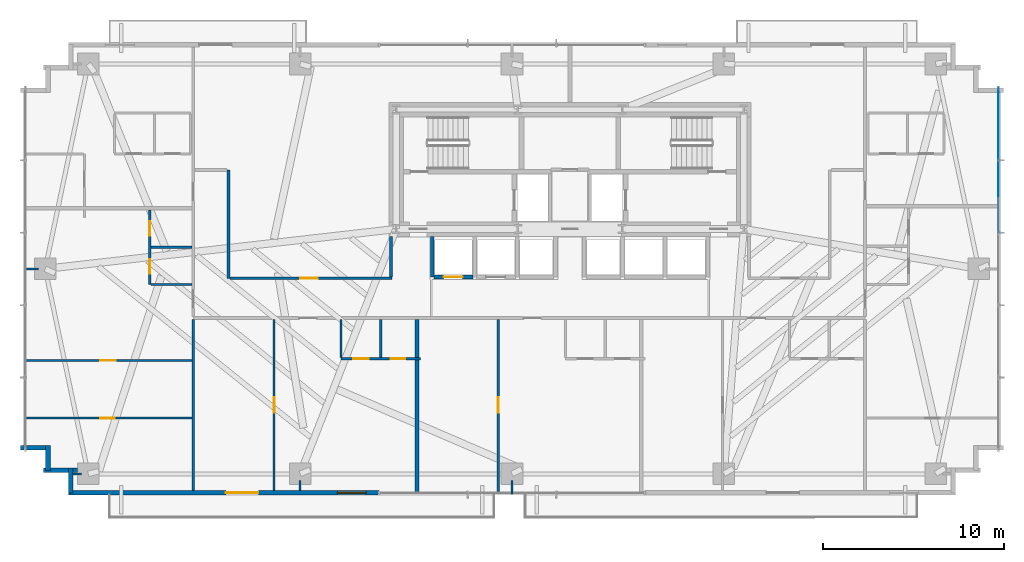
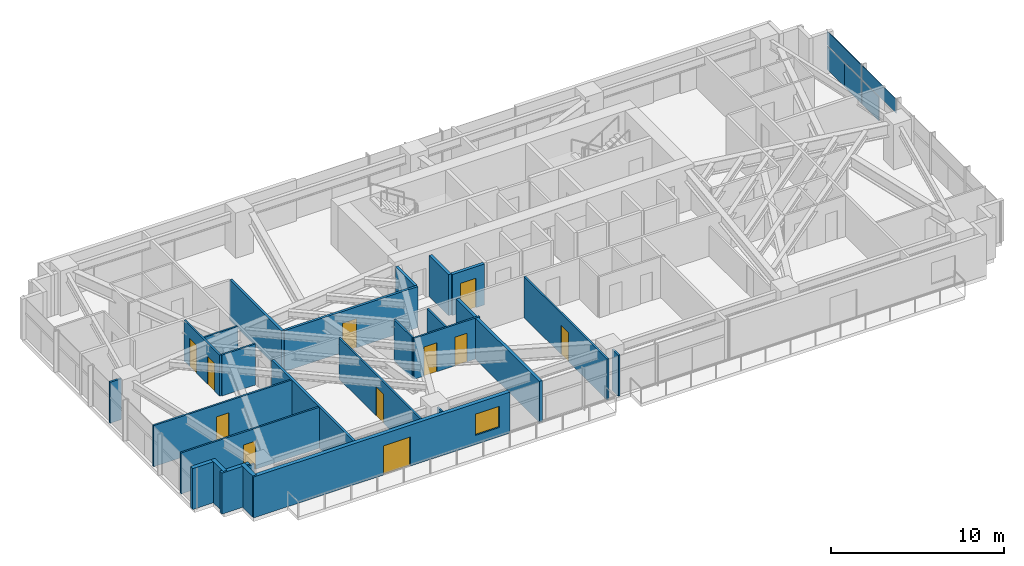
# One storey, part 19 of 25: 27 walls, 11 doors, 5 plates, 1 window, 12 openings, 1 element without a shape of its own.
"""IFC4 building model written with IfcOpenShell, lengths in metres."""

from ifc_helpers import new_model, si_unit, direction, frame, frame_2d, origin, origin_2d, place, context, subcontext, project, spatial, rectangle, extrude, source, transform, mapped, material, layer, layer_set, type_object, type_shapes, element, fill, aggregate, save


model = new_model("IFC4")

# Units and contexts
model_context = context("Model", 3, precision=1e-05, world=origin(), true_north=direction((0.0, 1.0)))
body_context = subcontext(model_context, "Body", "Model", "MODEL_VIEW")
ifc_project = project(units=[si_unit("LENGTHUNIT", "METRE"), si_unit("AREAUNIT", "SQUARE_METRE"), si_unit("VOLUMEUNIT", "CUBIC_METRE"), si_unit("PLANEANGLEUNIT", "RADIAN"), si_unit("MASSUNIT", "GRAM", prefix="KILO")], contexts=[model_context])

# Site, building, storey
site_placement = place(None, origin())
site = spatial("IfcSite", under=ifc_project, at=site_placement, CompositionType="ELEMENT")
building_placement = place(site_placement, origin())
building = spatial("IfcBuilding", under=site, at=building_placement, Name="Astriad Promenade Condominiums", CompositionType="ELEMENT")
storey_placement = place(building_placement, frame((0.0, 0.0, 64.60009765625)))
storey = spatial("IfcBuildingStorey", under=building, at=storey_placement, Name="L18", CompositionType="ELEMENT", Elevation=64.60009765625)

# Curtain wall, plates
ifc_material_1 = material(Name="Anodised aluminium Black Dark Glass Unitised", Category="aluminium")
curtain_wall_type = type_object("IfcCurtainWallType", Name="CW-B1-DARK", PredefinedType="USERDEFINED", material=ifc_material_1)
curtain_wall_placement = place(storey_placement, origin())
curtain_wall = element("IfcCurtainWall", 1, at=curtain_wall_placement, inside=storey, type_object=curtain_wall_type, Name="CW-L18-E", ObjectType="UNITISED_CURTAIN_WALL", PredefinedType="USERDEFINED")
ifc_material_2 = material(Name="Dark Tinted Low-E Laminated Glass", Category="glass")
ifc_layer_1 = layer(ifc_material_2, 0.035888671875)
ifc_layer_set_1 = layer_set([ifc_layer_1], Name="Dark Tinted Low-E Laminated Glass")
plate_type = type_object("IfcPlateType", Name="PNL-DARK-GLASS-36", PredefinedType="CURTAIN_PANEL", material=ifc_layer_set_1)
shared_shape_1 = source(origin(), body_context, "Body", "SweptSolid", [
    extrude(rectangle(XDim=1.988037109375, YDim=0.035888671875, at=origin_2d()), origin(), (0.0, 0.0, 1.0), 1.677978515625),
])
plate_1_placement = place(storey_placement, frame((59.669921875, 24.199951171875, 0.080078125), z_axis=(0.0, 0.0, 1.0), x_axis=(0.0, -1.0, 0.0)))
plate_1 = element("IfcPlate", 2, at=plate_1_placement, type_object=plate_type, Name="CW-L18-E-PNL-00-VL", PredefinedType="CURTAIN_PANEL", context=body_context, shape_type="MappedRepresentation", body=[
    mapped(shared_shape_1, transform((0.0, 0.0, 0.0), scale=1.0)),
])
plate_2_placement = place(storey_placement, frame((59.669921875, 22.199951171875, 0.080078125), z_axis=(0.0, 0.0, 1.0), x_axis=(0.0, -1.0, 0.0)))
plate_2 = element("IfcPlate", 3, at=plate_2_placement, type_object=plate_type, Name="CW-L18-E-PNL-00-VR", PredefinedType="CURTAIN_PANEL", context=body_context, shape_type="MappedRepresentation", body=[
    mapped(shared_shape_1, transform((0.0, 0.0, 0.0), scale=1.0)),
])
plate_3_placement = place(storey_placement, frame((59.669921875, 20.199951171875, 0.080078125), z_axis=(0.0, 0.0, 1.0), x_axis=(0.0, -1.0, 0.0)))
plate_3 = element("IfcPlate", 4, at=plate_3_placement, type_object=plate_type, Name="CW-L18-E-PNL-01-VL", PredefinedType="CURTAIN_PANEL", context=body_context, shape_type="MappedRepresentation", body=[
    mapped(shared_shape_1, transform((0.0, 0.0, 0.0), scale=1.0)),
])
shared_shape_2 = source(origin(), body_context, "Body", "SweptSolid", [
    extrude(rectangle(XDim=3.988037109375, YDim=0.035888671875, at=origin_2d()), origin(), (0.0, 0.0, 1.0), 0.98193359375),
])
type_shapes(plate_type, [shared_shape_1, shared_shape_2])
plate_4_placement = place(storey_placement, frame((59.669921875, 23.199951171875, 1.837890625), z_axis=(0.0, 0.0, 1.0), x_axis=(0.0, -1.0, 0.0)))
plate_4 = element("IfcPlate", 5, at=plate_4_placement, type_object=plate_type, Name="CW-L18-E-PNL-00-S", PredefinedType="CURTAIN_PANEL", context=body_context, shape_type="MappedRepresentation", body=[
    mapped(shared_shape_2, transform((0.0, 0.0, 0.0), scale=1.0)),
])
plate_5_placement = place(storey_placement, frame((59.669921875, 19.199951171875, 1.837890625), z_axis=(0.0, 0.0, 1.0), x_axis=(0.0, -1.0, 0.0)))
plate_5 = element("IfcPlate", 6, at=plate_5_placement, type_object=plate_type, Name="CW-L18-E-PNL-01-S", PredefinedType="CURTAIN_PANEL", context=body_context, shape_type="MappedRepresentation", body=[
    mapped(shared_shape_2, transform((0.0, 0.0, 0.0), scale=1.0)),
])
aggregate(curtain_wall, [plate_1, plate_2, plate_4, plate_3, plate_5])

# Walls
ifc_material_3 = material(Name="Fire-Rated Gypsum Partition")
ifc_layer_2 = layer(ifc_material_3, 0.159912109375)
ifc_layer_set_2 = layer_set([ifc_layer_2], Name="Fire-Rated Gypsum Partition")
wall_type_1 = type_object("IfcWallType", Name="WALL-CORR-160", PredefinedType="PARTITIONING", material=ifc_layer_set_2)
wall_1_placement = place(storey_placement, frame((15.199951171875, 2.9619140625, 0.0), z_axis=(0.0, 0.0, 1.0), x_axis=(0.0, 1.0, 0.0)))
element("IfcWall", 7, at=wall_1_placement, inside=storey, type_object=wall_type_1, Name="PT-COR-W-L18", PredefinedType="PARTITIONING", context=body_context, shape_type="SweptSolid", body=[
    extrude(rectangle(XDim=9.446044921875, YDim=0.159912109375, at=frame_2d((4.72314453125, 0.0))), origin(), (0.0, 0.0, 1.0), 2.89990234375),
])
wall_2_placement = place(storey_placement, frame((17.14990234375, 14.659912109375, 0.0), z_axis=(0.0, 0.0, 1.0), x_axis=(0.0, 1.0, 0.0)))
element("IfcWall", 8, at=wall_2_placement, inside=storey, type_object=wall_type_1, Name="PT-WALC-E-L18", PredefinedType="PARTITIONING", context=body_context, shape_type="SweptSolid", body=[
    extrude(rectangle(XDim=5.989990234375, YDim=0.159912109375, at=frame_2d((2.9951171875, 0.0))), origin(), (0.0, 0.0, 1.0), 2.89990234375),
])

# Wall, opening, door
wall_3_placement = place(storey_placement, frame((17.23193359375, 14.679931640625, 0.0), z_axis=(0.0, 0.0, 1.0), x_axis=(1.0, 0.0, 0.0)))
wall_3 = element("IfcWall", 9, at=wall_3_placement, inside=storey, type_object=wall_type_1, Name="PT-FLK-NW-L18", PredefinedType="PARTITIONING", context=body_context, shape_type="SweptSolid", body=[
    extrude(rectangle(XDim=8.927978515625, YDim=0.159912109375, at=frame_2d((4.4638671875, 0.0))), origin(), (0.0, 0.0, 1.0), 2.89990234375),
])
opening_1_placement = place(wall_3_placement, frame((3.887939453125, 0.0, 0.0)))
opening_1 = element("IfcOpeningElement", 10, at=opening_1_placement, cuts=wall_3, Name="Opening FD60-APT-095", PredefinedType="OPENING", context=body_context, shape_type="SweptSolid", body=[
    extrude(rectangle(XDim=0.949951171875, YDim=2.06005859375, at=frame_2d((0.47509765625, 1.030029296875))), frame((0.0, 0.08984375, 0.0), z_axis=(0.0, -1.0, 0.0), x_axis=(1.0, 0.0, 0.0)), (0.0, 0.0, 1.0), 0.179931640625),
])
ifc_material_4 = material(Name="Solid-Core Acoustic Timber Residence Entry Door", Category="wood")
door_type_1 = type_object("IfcDoorType", Name="FD60-APT-095", OperationType="NOTDEFINED", PredefinedType="DOOR", material=ifc_material_4)
shared_shape_3 = source(origin(), body_context, "Body", "SweptSolid", [
    extrude(rectangle(XDim=0.949951171875, YDim=2.06005859375, at=frame_2d((0.47509765625, 1.030029296875))), frame((0.0, 0.02490234375, 0.0), z_axis=(0.0, -1.0, 0.0), x_axis=(1.0, 0.0, 0.0)), (0.0, 0.0, 1.0), 0.050048828125),
])
type_shapes(door_type_1, [shared_shape_3])
door_1_placement = place(opening_1_placement, origin())
door_1 = element("IfcDoor", 11, at=door_1_placement, inside=storey, type_object=door_type_1, Name="D-NWA-L18", OperationType="SINGLE_SWING_LEFT", OverallHeight=2.06005859375, OverallWidth=0.949951171875, PredefinedType="DOOR", context=body_context, shape_type="MappedRepresentation", body=[
    mapped(shared_shape_3, transform((0.0, 0.0, 0.0), scale=1.0)),
])
fill(opening_1, door_1)

# Walls
wall_4_placement = place(storey_placement, frame((26.1201171875, 14.761962890625, 0.0), z_axis=(0.0, 0.0, 1.0), x_axis=(0.0, 1.0, 0.0)))
element("IfcWall", 12, at=wall_4_placement, inside=storey, type_object=wall_type_1, Name="PT-WSPUR-W-L18", PredefinedType="PARTITIONING", context=body_context, shape_type="SweptSolid", body=[
    extrude(rectangle(XDim=2.236083984375, YDim=0.159912109375, at=frame_2d((1.1181640625, 0.0))), origin(), (0.0, 0.0, 1.0), 2.89990234375),
])
ifc_material_5 = material(Name="Acoustic Double-Stud Gypsum Partition")
ifc_layer_3 = layer(ifc_material_5, 0.199951171875)
ifc_layer_set_3 = layer_set([ifc_layer_3], Name="Acoustic Double-Stud Gypsum Partition")
wall_type_2 = type_object("IfcWallType", Name="WALL-DEMISING-200", PredefinedType="PARTITIONING", material=ifc_layer_set_3)
wall_5_placement = place(storey_placement, frame((27.553955078125, 2.780029296875, 0.0), z_axis=(0.0, 0.0, 1.0), x_axis=(0.0, 1.0, 0.0)))
element("IfcWall", 13, at=wall_5_placement, inside=storey, type_object=wall_type_2, Name="PT-DEM-S1-L18", PredefinedType="PARTITIONING", context=body_context, shape_type="SweptSolid", body=[
    extrude(rectangle(XDim=7.39794921875, YDim=0.199951171875, at=frame_2d((3.698974609375, 0.0))), origin(), (0.0, 0.0, 1.0), 2.89990234375),
])
wall_6_placement = place(storey_placement, frame((27.553955078125, 10.302001953125, 0.0), z_axis=(0.0, 0.0, 1.0), x_axis=(0.0, 1.0, 0.0)))
element("IfcWall", 14, at=wall_6_placement, inside=storey, type_object=wall_type_2, Name="PT-DEM-S1-L18-S2", PredefinedType="PARTITIONING", context=body_context, shape_type="SweptSolid", body=[
    extrude(rectangle(XDim=2.10595703125, YDim=0.199951171875, at=frame_2d((1.052978515625, 0.0))), origin(), (0.0, 0.0, 1.0), 2.89990234375),
])
ifc_material_6 = material(Name="Precast concrete C50/60", Category="concrete")
ifc_layer_4 = layer(ifc_material_6, 0.260009765625)
ifc_layer_set_4 = layer_set([ifc_layer_4], Name="Precast concrete C50/60")
wall_type_3 = type_object("IfcWallType", Name="WALL-EXT-TWR-260", PredefinedType="STANDARD", material=ifc_layer_set_4)
wall_7_placement = place(storey_placement, frame((8.798095703125, 4.080078125, 0.0), z_axis=(0.0, 0.0, 1.0), x_axis=(-1.0, 0.0, 0.0)))
element("IfcWall", 15, at=wall_7_placement, inside=storey, type_object=wall_type_3, Name="W-SER-L18-00", PredefinedType="STANDARD", context=body_context, shape_type="SweptSolid", body=[
    extrude(rectangle(XDim=1.878173828125, YDim=0.260009765625, at=frame_2d((0.93896484375, 0.0))), origin(), (0.0, 0.0, 1.0), 2.89990234375),
])
for number, where, z_axis, x_axis, name in (
    (16, (7.179931640625, 4.06494140625, 0.0), (0.0, 0.0, 1.0), (0.0, 1.0, 0.0), "W-SER-L18-01"),
    (17, (7.06494140625, 5.330078125, 0.0), (0.0, 0.0, 1.0), (-1.0, 0.0, 0.0), "W-SER-L18-02"),
):
    element("IfcWall", number, at=place(storey_placement, frame(where, z_axis=z_axis, x_axis=x_axis)), inside=storey, type_object=wall_type_3, Name=name, PredefinedType="STANDARD", context=body_context, shape_type="SweptSolid", body=[
        extrude(rectangle(XDim=1.39501953125, YDim=0.260009765625, at=frame_2d((0.697509765625, 0.0))), origin(), (0.0, 0.0, 1.0), 2.89990234375),
    ])

# Wall, openings, door, window
wall_8_placement = place(storey_placement, frame((25.449951171875, 2.830078125, 0.0), z_axis=(0.0, 0.0, 1.0), x_axis=(-1.0, 0.0, 0.0)))
wall_8 = element("IfcWall", 18, at=wall_8_placement, inside=storey, type_object=wall_type_3, Name="W-EXT-L18-S2", PredefinedType="STANDARD", context=body_context, shape_type="SweptSolid", body=[
    extrude(rectangle(XDim=17.14990234375, YDim=0.260009765625, at=frame_2d((8.574951171875, 0.0))), origin(), (0.0, 0.0, 1.0), 2.89990234375),
])
opening_2_placement = place(wall_8_placement, frame((6.64990234375, 0.0, 0.0)))
opening_2 = element("IfcOpeningElement", 19, at=opening_2_placement, cuts=wall_8, Name="Opening BD-1822-SLD", PredefinedType="OPENING", context=body_context, shape_type="SweptSolid", body=[
    extrude(rectangle(XDim=1.800048828125, YDim=2.06005859375, at=frame_2d((0.89990234375, 1.030029296875))), frame((0.0, 0.139892578125, 0.0), z_axis=(0.0, -1.0, 0.0), x_axis=(1.0, 0.0, 0.0)), (0.0, 0.0, 1.0), 0.280029296875),
])
opening_3_placement = place(wall_8_placement, frame((0.699951171875, 0.0, 0.64990234375)))
opening_3 = element("IfcOpeningElement", 20, at=opening_3_placement, cuts=wall_8, Name="Opening WIN-TWR-1620", PredefinedType="OPENING", context=body_context, shape_type="SweptSolid", body=[
    extrude(rectangle(XDim=1.60009765625, YDim=1.5, at=frame_2d((0.800048828125, 0.75))), frame((0.0, 0.139892578125, 0.0), z_axis=(0.0, -1.0, 0.0), x_axis=(1.0, 0.0, 0.0)), (0.0, 0.0, 1.0), 0.280029296875),
])
ifc_material_7 = material(Name="Thermally Broken Aluminium Sliding Balcony Door", Category="aluminium")
door_type_2 = type_object("IfcDoorType", Name="BD-1822-SLD", OperationType="NOTDEFINED", PredefinedType="DOOR", material=ifc_material_7)
shared_shape_4 = source(origin(), body_context, "Body", "SweptSolid", [
    extrude(rectangle(XDim=1.800048828125, YDim=2.06005859375, at=frame_2d((0.89990234375, 1.030029296875))), frame((0.0, 0.02490234375, 0.0), z_axis=(0.0, -1.0, 0.0), x_axis=(1.0, 0.0, 0.0)), (0.0, 0.0, 1.0), 0.050048828125),
])
type_shapes(door_type_2, [shared_shape_4])
door_2_placement = place(opening_2_placement, origin())
door_2 = element("IfcDoor", 21, at=door_2_placement, inside=storey, type_object=door_type_2, Name="BD-L18-SW", OperationType="SLIDING_TO_LEFT", OverallHeight=2.06005859375, OverallWidth=1.800048828125, PredefinedType="DOOR", context=body_context, shape_type="MappedRepresentation", body=[
    mapped(shared_shape_4, transform((0.0, 0.0, 0.0), scale=1.0)),
])
fill(opening_2, door_2)
ifc_material_8 = material(Name="Dark Tinted Triple-Glazed Aluminium Window", Category="aluminium")
window_type = type_object("IfcWindowType", Name="WIN-TWR-1620", PartitioningType="SINGLE_PANEL", PredefinedType="WINDOW", material=ifc_material_8)
shared_shape_5 = source(origin(), body_context, "Body", "SweptSolid", [
    extrude(rectangle(XDim=1.60009765625, YDim=1.5, at=frame_2d((0.800048828125, 0.75))), frame((0.0, 0.030029296875, 0.0), z_axis=(0.0, -1.0, 0.0), x_axis=(1.0, 0.0, 0.0)), (0.0, 0.0, 1.0), 0.06005859375),
])
type_shapes(window_type, [shared_shape_5])
window_placement = place(opening_3_placement, origin())
window = element("IfcWindow", 22, at=window_placement, inside=storey, type_object=window_type, Name="WIN-L18-SW", OverallHeight=1.5, OverallWidth=1.60009765625, PartitioningType="SINGLE_PANEL", PredefinedType="WINDOW", context=body_context, shape_type="MappedRepresentation", body=[
    mapped(shared_shape_5, transform((0.0, 0.0, 0.0), scale=1.0)),
])
fill(opening_3, window)

# Wall
wall_9_placement = place(storey_placement, frame((8.429931640625, 2.81494140625, 0.0), z_axis=(0.0, 0.0, 1.0), x_axis=(0.0, 1.0, 0.0)))
element("IfcWall", 23, at=wall_9_placement, inside=storey, type_object=wall_type_3, Name="W-SER-L18-19", PredefinedType="STANDARD", context=body_context, shape_type="SweptSolid", body=[
    extrude(rectangle(XDim=1.39501953125, YDim=0.260009765625, at=frame_2d((0.697509765625, 0.0))), origin(), (0.0, 0.0, 1.0), 2.89990234375),
])

# Wall, openings, doors
ifc_material_9 = material(Name="Acoustic Metal-Stud Gypsum Partition")
ifc_layer_5 = layer(ifc_material_9, 0.1201171875)
ifc_layer_set_5 = layer_set([ifc_layer_5], Name="Acoustic Metal-Stud Gypsum Partition")
wall_type_4 = type_object("IfcWallType", Name="WALL-PART-120", PredefinedType="PARTITIONING", material=ifc_layer_set_5)
wall_10_placement = place(storey_placement, frame((23.35400390625, 10.239990234375, 0.0), z_axis=(0.0, 0.0, 1.0), x_axis=(1.0, 0.0, 0.0)))
wall_10 = element("IfcWall", 24, at=wall_10_placement, inside=storey, type_object=wall_type_4, Name="PT-L18-S1-PS", PredefinedType="PARTITIONING", context=body_context, shape_type="SweptSolid", body=[
    extrude(rectangle(XDim=4.39990234375, YDim=0.1201171875, at=frame_2d((2.199951171875, 0.0))), origin(), (0.0, 0.0, 1.0), 2.89990234375),
])
opening_4_placement = place(wall_10_placement, frame((0.675048828125, 0.0, 0.0)))
opening_4 = element("IfcOpeningElement", 25, at=opening_4_placement, cuts=wall_10, Name="Opening D-INT-085", PredefinedType="OPENING", context=body_context, shape_type="SweptSolid", body=[
    extrude(rectangle(XDim=0.85009765625, YDim=2.050048828125, at=frame_2d((0.425048828125, 1.02490234375))), frame((0.0, 0.070068359375, 0.0), z_axis=(0.0, -1.0, 0.0), x_axis=(1.0, 0.0, 0.0)), (0.0, 0.0, 1.0), 0.14013671875),
])
opening_5_placement = place(wall_10_placement, frame((2.75, 0.0, 0.0)))
opening_5 = element("IfcOpeningElement", 26, at=opening_5_placement, cuts=wall_10, Name="Opening D-WET-080", PredefinedType="OPENING", context=body_context, shape_type="SweptSolid", body=[
    extrude(rectangle(XDim=0.800048828125, YDim=2.02001953125, at=frame_2d((0.39990234375, 1.010009765625))), frame((0.0, 0.070068359375, 0.0), z_axis=(0.0, -1.0, 0.0), x_axis=(1.0, 0.0, 0.0)), (0.0, 0.0, 1.0), 0.14013671875),
])
ifc_material_10 = material(Name="Moisture-Resistant Timber Bathroom Door", Category="wood")
door_type_3 = type_object("IfcDoorType", Name="D-WET-080", OperationType="NOTDEFINED", PredefinedType="DOOR", material=ifc_material_10)
shared_shape_6 = source(origin(), body_context, "Body", "SweptSolid", [
    extrude(rectangle(XDim=0.800048828125, YDim=2.02001953125, at=frame_2d((0.39990234375, 1.010009765625))), frame((0.0, 0.02490234375, 0.0), z_axis=(0.0, -1.0, 0.0), x_axis=(1.0, 0.0, 0.0)), (0.0, 0.0, 1.0), 0.050048828125),
])
type_shapes(door_type_3, [shared_shape_6])
door_3_placement = place(opening_5_placement, origin())
door_3 = element("IfcDoor", 27, at=door_3_placement, inside=storey, type_object=door_type_3, Name="D-BTH-L18-S1", OperationType="SINGLE_SWING_RIGHT", OverallHeight=2.02001953125, OverallWidth=0.800048828125, PredefinedType="DOOR", context=body_context, shape_type="MappedRepresentation", body=[
    mapped(shared_shape_6, transform((0.0, 0.0, 0.0), scale=1.0)),
])
fill(opening_5, door_3)
ifc_material_11 = material(Name="Painted Solid-Core Timber Room Door", Category="wood")
door_type_4 = type_object("IfcDoorType", Name="D-INT-085", OperationType="NOTDEFINED", PredefinedType="DOOR", material=ifc_material_11)
shared_shape_7 = source(origin(), body_context, "Body", "SweptSolid", [
    extrude(rectangle(XDim=0.85009765625, YDim=2.050048828125, at=frame_2d((0.425048828125, 1.02490234375))), frame((0.0, 0.02490234375, 0.0), z_axis=(0.0, -1.0, 0.0), x_axis=(1.0, 0.0, 0.0)), (0.0, 0.0, 1.0), 0.050048828125),
])
type_shapes(door_type_4, [shared_shape_7])
door_4_placement = place(opening_4_placement, origin())
door_4 = element("IfcDoor", 28, at=door_4_placement, inside=storey, type_object=door_type_4, Name="D-KIT-L18-S1", OperationType="SINGLE_SWING_LEFT", OverallHeight=2.050048828125, OverallWidth=0.85009765625, PredefinedType="DOOR", context=body_context, shape_type="MappedRepresentation", body=[
    mapped(shared_shape_7, transform((0.0, 0.0, 0.0), scale=1.0)),
])
fill(opening_4, door_4)

# Walls
for number, where, z_axis, x_axis, name in (
    (29, (23.35400390625, 10.302001953125, 0.0), (0.0, 0.0, 1.0), (0.0, 1.0, 0.0), "PT-L18-S1-PK"),
    (30, (25.553955078125, 10.302001953125, 0.0), (0.0, 0.0, 1.0), (0.0, 1.0, 0.0), "PT-L18-S1-PB"),
):
    element("IfcWall", number, at=place(storey_placement, frame(where, z_axis=z_axis, x_axis=x_axis)), inside=storey, type_object=wall_type_4, Name=name, PredefinedType="PARTITIONING", context=body_context, shape_type="SweptSolid", body=[
        extrude(rectangle(XDim=2.10595703125, YDim=0.1201171875, at=frame_2d((1.052978515625, 0.0))), origin(), (0.0, 0.0, 1.0), 2.89990234375),
    ])

# Wall, opening, door
wall_11_placement = place(storey_placement, frame((19.6630859375, 2.9619140625, 0.0), z_axis=(0.0, 0.0, 1.0), x_axis=(0.0, 1.0, 0.0)))
wall_11 = element("IfcWall", 31, at=wall_11_placement, inside=storey, type_object=wall_type_4, Name="PT-L18-S1-CAP1", PredefinedType="PARTITIONING", context=body_context, shape_type="SweptSolid", body=[
    extrude(rectangle(XDim=9.446044921875, YDim=0.1201171875, at=frame_2d((4.72314453125, 0.0))), origin(), (0.0, 0.0, 1.0), 2.89990234375),
])
opening_6_placement = place(wall_11_placement, frame((4.2880859375, 0.0, 0.0)))
opening_6 = element("IfcOpeningElement", 32, at=opening_6_placement, cuts=wall_11, Name="Opening D-INT-085", PredefinedType="OPENING", context=body_context, shape_type="SweptSolid", body=[
    extrude(rectangle(XDim=0.85009765625, YDim=2.050048828125, at=frame_2d((0.425048828125, 1.02490234375))), frame((0.0, 0.070068359375, 0.0), z_axis=(0.0, -1.0, 0.0), x_axis=(1.0, 0.0, 0.0)), (0.0, 0.0, 1.0), 0.14013671875),
])
door_5_placement = place(opening_6_placement, origin())
door_5 = element("IfcDoor", 33, at=door_5_placement, inside=storey, type_object=door_type_4, Name="D-CAP1-L18-S1", OperationType="SINGLE_SWING_LEFT", OverallHeight=2.050048828125, OverallWidth=0.85009765625, PredefinedType="DOOR", context=body_context, shape_type="MappedRepresentation", body=[
    mapped(shared_shape_7, transform((0.0, 0.0, 0.0), scale=1.0)),
])
fill(opening_6, door_5)

wall_12_placement = place(storey_placement, frame((32.04296875, 2.780029296875, 0.0), z_axis=(0.0, 0.0, 1.0), x_axis=(0.0, 1.0, 0.0)))
wall_12 = element("IfcWall", 34, at=wall_12_placement, inside=storey, type_object=wall_type_4, Name="PT-L18-S2-CAP1", PredefinedType="PARTITIONING", context=body_context, shape_type="SweptSolid", body=[
    extrude(rectangle(XDim=9.6279296875, YDim=0.1201171875, at=frame_2d((4.81396484375, 0.0))), origin(), (0.0, 0.0, 1.0), 2.89990234375),
])
opening_7_placement = place(wall_12_placement, frame((4.469970703125, 0.0, 0.0)))
opening_7 = element("IfcOpeningElement", 35, at=opening_7_placement, cuts=wall_12, Name="Opening D-INT-085", PredefinedType="OPENING", context=body_context, shape_type="SweptSolid", body=[
    extrude(rectangle(XDim=0.85009765625, YDim=2.050048828125, at=frame_2d((0.425048828125, 1.02490234375))), frame((0.0, 0.070068359375, 0.0), z_axis=(0.0, -1.0, 0.0), x_axis=(1.0, 0.0, 0.0)), (0.0, 0.0, 1.0), 0.14013671875),
])
door_6_placement = place(opening_7_placement, origin())
door_6 = element("IfcDoor", 36, at=door_6_placement, inside=storey, type_object=door_type_4, Name="D-CAP1-L18-S2", OperationType="SINGLE_SWING_LEFT", OverallHeight=2.050048828125, OverallWidth=0.85009765625, PredefinedType="DOOR", context=body_context, shape_type="MappedRepresentation", body=[
    mapped(shared_shape_7, transform((0.0, 0.0, 0.0), scale=1.0)),
])
fill(opening_7, door_6)

# Wall, openings, doors
wall_13_placement = place(storey_placement, frame((12.800048828125, 14.340087890625, 0.0), z_axis=(0.0, 0.0, 1.0), x_axis=(0.0, 1.0, 0.0)))
wall_13 = element("IfcWall", 37, at=wall_13_placement, inside=storey, type_object=wall_type_4, Name="PT-L18-W1-PV", PredefinedType="PARTITIONING", context=body_context, shape_type="SweptSolid", body=[
    extrude(rectangle(XDim=4.10791015625, YDim=0.1201171875, at=frame_2d((2.053955078125, 0.0))), origin(), (0.0, 0.0, 1.0), 2.89990234375),
])
opening_8_placement = place(wall_13_placement, frame((0.60205078125, 0.0, 0.0)))
opening_8 = element("IfcOpeningElement", 38, at=opening_8_placement, cuts=wall_13, Name="Opening D-ULOW-080", PredefinedType="OPENING", context=body_context, shape_type="SweptSolid", body=[
    extrude(rectangle(XDim=0.800048828125, YDim=2.0, at=frame_2d((0.39990234375, 1.0))), frame((0.0, 0.070068359375, 0.0), z_axis=(0.0, -1.0, 0.0), x_axis=(1.0, 0.0, 0.0)), (0.0, 0.0, 1.0), 0.14013671875),
])
opening_9_placement = place(wall_13_placement, frame((2.681884765625, 0.0, 0.0)))
opening_9 = element("IfcOpeningElement", 39, at=opening_9_placement, cuts=wall_13, Name="Opening D-ULOW-080", PredefinedType="OPENING", context=body_context, shape_type="SweptSolid", body=[
    extrude(rectangle(XDim=0.800048828125, YDim=2.0, at=frame_2d((0.39990234375, 1.0))), frame((0.0, 0.070068359375, 0.0), z_axis=(0.0, -1.0, 0.0), x_axis=(1.0, 0.0, 0.0)), (0.0, 0.0, 1.0), 0.14013671875),
])
ifc_material_12 = material(Name="Painted Timber Low-Headroom Door", Category="wood")
door_type_5 = type_object("IfcDoorType", Name="D-ULOW-080", OperationType="NOTDEFINED", PredefinedType="DOOR", material=ifc_material_12)
shared_shape_8 = source(origin(), body_context, "Body", "SweptSolid", [
    extrude(rectangle(XDim=0.800048828125, YDim=2.0, at=frame_2d((0.39990234375, 1.0))), frame((0.0, 0.02490234375, 0.0), z_axis=(0.0, -1.0, 0.0), x_axis=(1.0, 0.0, 0.0)), (0.0, 0.0, 1.0), 0.050048828125),
])
type_shapes(door_type_5, [shared_shape_8])
door_7_placement = place(opening_8_placement, origin())
door_7 = element("IfcDoor", 40, at=door_7_placement, inside=storey, type_object=door_type_5, Name="D-KIT-L18-W1", OperationType="SINGLE_SWING_RIGHT", OverallHeight=2.0, OverallWidth=0.800048828125, PredefinedType="DOOR", context=body_context, shape_type="MappedRepresentation", body=[
    mapped(shared_shape_8, transform((0.0, 0.0, 0.0), scale=1.0)),
])
fill(opening_8, door_7)
door_8_placement = place(opening_9_placement, origin())
door_8 = element("IfcDoor", 41, at=door_8_placement, inside=storey, type_object=door_type_5, Name="D-BTH-L18-W1", OperationType="SINGLE_SWING_LEFT", OverallHeight=2.0, OverallWidth=0.800048828125, PredefinedType="DOOR", context=body_context, shape_type="MappedRepresentation", body=[
    mapped(shared_shape_8, transform((0.0, 0.0, 0.0), scale=1.0)),
])
fill(opening_9, door_8)

# Walls
for number, where, z_axis, x_axis, name in (
    (42, (12.862060546875, 16.39501953125, 0.0), (0.0, 0.0, 1.0), (1.0, 0.0, 0.0), "PT-L18-W1-PM"),
    (43, (12.862060546875, 14.340087890625, 0.0), (0.0, 0.0, 1.0), (1.0, 0.0, 0.0), "PT-L18-W1-PS"),
):
    element("IfcWall", number, at=place(storey_placement, frame(where, z_axis=z_axis, x_axis=x_axis)), inside=storey, type_object=wall_type_4, Name=name, PredefinedType="PARTITIONING", context=body_context, shape_type="SweptSolid", body=[
        extrude(rectangle(XDim=2.255859375, YDim=0.1201171875, at=frame_2d((1.1279296875, 0.0))), origin(), (0.0, 0.0, 1.0), 2.89990234375),
    ])

# Wall, opening, door
wall_14_placement = place(storey_placement, frame((5.8798828125, 6.9599609375, 0.0), z_axis=(0.0, 0.0, 1.0), x_axis=(1.0, 0.0, 0.0)))
wall_14 = element("IfcWall", 44, at=wall_14_placement, inside=storey, type_object=wall_type_4, Name="PT-L18-W1-WDS1", PredefinedType="PARTITIONING", context=body_context, shape_type="SweptSolid", body=[
    extrude(rectangle(XDim=9.238037109375, YDim=0.1201171875, at=frame_2d((4.619140625, 0.0))), origin(), (0.0, 0.0, 1.0), 2.89990234375),
])
opening_10_placement = place(wall_14_placement, frame((4.18505859375, 0.0, 0.0)))
opening_10 = element("IfcOpeningElement", 45, at=opening_10_placement, cuts=wall_14, Name="Opening D-ULOW-080", PredefinedType="OPENING", context=body_context, shape_type="SweptSolid", body=[
    extrude(rectangle(XDim=0.800048828125, YDim=2.0, at=frame_2d((0.39990234375, 1.0))), frame((0.0, 0.070068359375, 0.0), z_axis=(0.0, -1.0, 0.0), x_axis=(1.0, 0.0, 0.0)), (0.0, 0.0, 1.0), 0.14013671875),
])
door_9_placement = place(opening_10_placement, origin())
door_9 = element("IfcDoor", 46, at=door_9_placement, inside=storey, type_object=door_type_5, Name="D-WDS1-L18-W1", OperationType="SINGLE_SWING_RIGHT", OverallHeight=2.0, OverallWidth=0.800048828125, PredefinedType="DOOR", context=body_context, shape_type="MappedRepresentation", body=[
    mapped(shared_shape_8, transform((0.0, 0.0, 0.0), scale=1.0)),
])
fill(opening_10, door_9)

wall_15_placement = place(storey_placement, frame((5.8798828125, 10.138916015625, 0.0), z_axis=(0.0, 0.0, 1.0), x_axis=(1.0, 0.0, 0.0)))
wall_15 = element("IfcWall", 47, at=wall_15_placement, inside=storey, type_object=wall_type_4, Name="PT-L18-W1-WDS2", PredefinedType="PARTITIONING", context=body_context, shape_type="SweptSolid", body=[
    extrude(rectangle(XDim=9.238037109375, YDim=0.1201171875, at=frame_2d((4.619140625, 0.0))), origin(), (0.0, 0.0, 1.0), 2.89990234375),
])
opening_11_placement = place(wall_15_placement, frame((4.18505859375, 0.0, 0.0)))
opening_11 = element("IfcOpeningElement", 48, at=opening_11_placement, cuts=wall_15, Name="Opening D-INT-085", PredefinedType="OPENING", context=body_context, shape_type="SweptSolid", body=[
    extrude(rectangle(XDim=0.85009765625, YDim=2.050048828125, at=frame_2d((0.425048828125, 1.02490234375))), frame((0.0, 0.070068359375, 0.0), z_axis=(0.0, -1.0, 0.0), x_axis=(1.0, 0.0, 0.0)), (0.0, 0.0, 1.0), 0.14013671875),
])
door_10_placement = place(opening_11_placement, origin())
door_10 = element("IfcDoor", 49, at=door_10_placement, inside=storey, type_object=door_type_4, Name="D-WDS2-L18-W1", OperationType="SINGLE_SWING_LEFT", OverallHeight=2.050048828125, OverallWidth=0.85009765625, PredefinedType="DOOR", context=body_context, shape_type="MappedRepresentation", body=[
    mapped(shared_shape_7, transform((0.0, 0.0, 0.0), scale=1.0)),
])
fill(opening_11, door_10)

# Walls
wall_16_placement = place(storey_placement, frame((9.02001953125, 3.8798828125, 0.0), z_axis=(0.0, 0.0, 1.0), x_axis=(-1.0, 0.0, 0.0)))
element("IfcWall", 50, at=wall_16_placement, inside=storey, type_object=wall_type_4, Name="PT-PIL-L18-PC01-8", PredefinedType="PARTITIONING", context=body_context, shape_type="SweptSolid", body=[
    extrude(rectangle(XDim=0.4580078125, YDim=0.1201171875, at=frame_2d((0.22900390625, 0.0))), origin(), (0.0, 0.0, 1.0), 2.89990234375),
])
wall_17_placement = place(storey_placement, frame((21.10009765625, 3.5, 0.0), z_axis=(0.0, 0.0, 1.0), x_axis=(0.0, -1.0, 0.0)))
element("IfcWall", 51, at=wall_17_placement, inside=storey, type_object=wall_type_4, Name="PT-PIL-L18-PC02-9", PredefinedType="PARTITIONING", context=body_context, shape_type="SweptSolid", body=[
    extrude(rectangle(XDim=0.5380859375, YDim=0.1201171875, at=frame_2d((0.26904296875, 0.0))), origin(), (0.0, 0.0, 1.0), 2.89990234375),
])
wall_18_placement = place(storey_placement, frame((32.800048828125, 3.5, 0.0), z_axis=(0.0, 0.0, 1.0), x_axis=(0.0, -1.0, 0.0)))
element("IfcWall", 52, at=wall_18_placement, inside=storey, type_object=wall_type_4, Name="PT-PIL-L18-PC03-10", PredefinedType="PARTITIONING", context=body_context, shape_type="SweptSolid", body=[
    extrude(rectangle(XDim=0.719970703125, YDim=0.1201171875, at=frame_2d((0.35986328125, 0.0))), origin(), (0.0, 0.0, 1.0), 2.89990234375),
])
wall_19_placement = place(storey_placement, frame((6.639892578125, 15.199951171875, 0.0), z_axis=(0.0, 0.0, 1.0), x_axis=(-1.0, 0.0, 0.0)))
element("IfcWall", 53, at=wall_19_placement, inside=storey, type_object=wall_type_4, Name="PT-PIL-L18-PC11-18", PredefinedType="PARTITIONING", context=body_context, shape_type="SweptSolid", body=[
    extrude(rectangle(XDim=0.760009765625, YDim=0.1201171875, at=frame_2d((0.3798828125, 0.0))), origin(), (0.0, 0.0, 1.0), 2.89990234375),
])
ifc_material_13 = material(Name="Gypsum Shaftliner Assembly")
ifc_layer_6 = layer(ifc_material_13, 0.199951171875)
ifc_layer_set_6 = layer_set([ifc_layer_6], Name="Gypsum Shaftliner Assembly")
wall_type_5 = type_object("IfcWallType", Name="WALL-SHAFT-200", PredefinedType="PARTITIONING", material=ifc_layer_set_6)
wall_20_placement = place(storey_placement, frame((28.39990234375, 14.75, 0.0), z_axis=(0.0, 0.0, 1.0), x_axis=(0.0, 1.0, 0.0)))
element("IfcWall", 54, at=wall_20_placement, inside=storey, type_object=wall_type_5, Name="PL-W-OUT-L18", PredefinedType="PARTITIONING", context=body_context, shape_type="SweptSolid", body=[
    extrude(rectangle(XDim=2.248046875, YDim=0.199951171875, at=frame_2d((1.1240234375, 0.0))), origin(), (0.0, 0.0, 1.0), 2.89990234375),
])

# Wall, opening, door
wall_21_placement = place(storey_placement, frame((28.501953125, 14.75, 0.0), z_axis=(0.0, 0.0, 1.0), x_axis=(1.0, 0.0, 0.0)))
wall_21 = element("IfcWall", 55, at=wall_21_placement, inside=storey, type_object=wall_type_5, Name="PL-L-FRT-L18", PredefinedType="PARTITIONING", context=body_context, shape_type="SweptSolid", body=[
    extrude(rectangle(XDim=2.14599609375, YDim=0.199951171875, at=frame_2d((1.072998046875, 0.0))), origin(), (0.0, 0.0, 1.0), 2.89990234375),
])
opening_12_placement = place(wall_21_placement, frame((0.52294921875, 0.0, 0.0)))
opening_12 = element("IfcOpeningElement", 56, at=opening_12_placement, cuts=wall_21, Name="Opening LD-PL-10522", PredefinedType="OPENING", context=body_context, shape_type="SweptSolid", body=[
    extrude(rectangle(XDim=1.050048828125, YDim=2.080078125, at=frame_2d((0.52490234375, 1.0400390625))), frame((0.0, 0.10986328125, 0.0), z_axis=(0.0, -1.0, 0.0), x_axis=(1.0, 0.0, 0.0)), (0.0, 0.0, 1.0), 0.219970703125),
])
ifc_material_14 = material(Name="Brushed Bronze Passenger Elevator Landing Door")
door_type_6 = type_object("IfcDoorType", Name="LD-PL-10522", OperationType="NOTDEFINED", PredefinedType="DOOR", material=ifc_material_14)
shared_shape_9 = source(origin(), body_context, "Body", "SweptSolid", [
    extrude(rectangle(XDim=1.050048828125, YDim=2.080078125, at=frame_2d((0.52490234375, 1.0400390625))), frame((0.0, 0.02490234375, 0.0), z_axis=(0.0, -1.0, 0.0), x_axis=(1.0, 0.0, 0.0)), (0.0, 0.0, 1.0), 0.050048828125),
])
type_shapes(door_type_6, [shared_shape_9])
door_11_placement = place(opening_12_placement, origin())
door_11 = element("IfcDoor", 57, at=door_11_placement, inside=storey, type_object=door_type_6, Name="Elevator Landing Door PL-L1 (L18)", OperationType="SLIDING_TO_LEFT", OverallHeight=2.080078125, OverallWidth=1.050048828125, PredefinedType="DOOR", context=body_context, shape_type="MappedRepresentation", body=[
    mapped(shared_shape_9, transform((0.0, 0.0, 0.0), scale=1.0)),
])
fill(opening_12, door_11)

save(model, "model.ifc")
